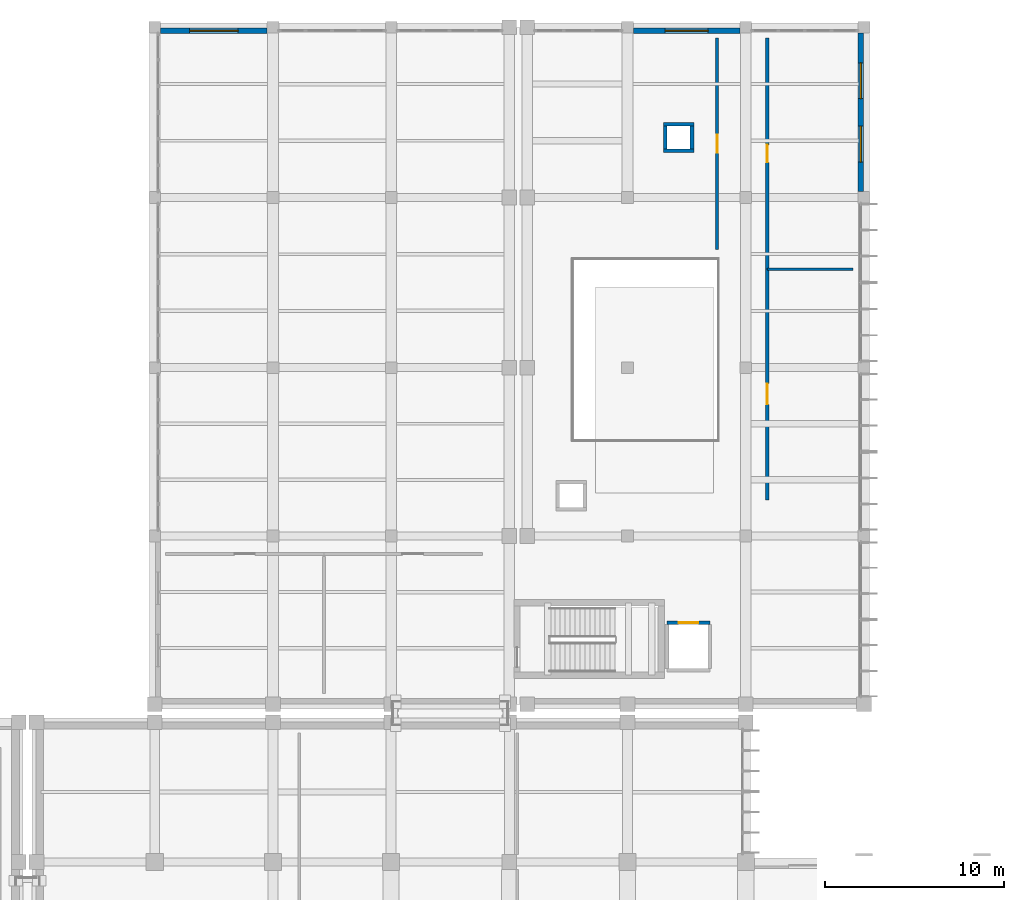
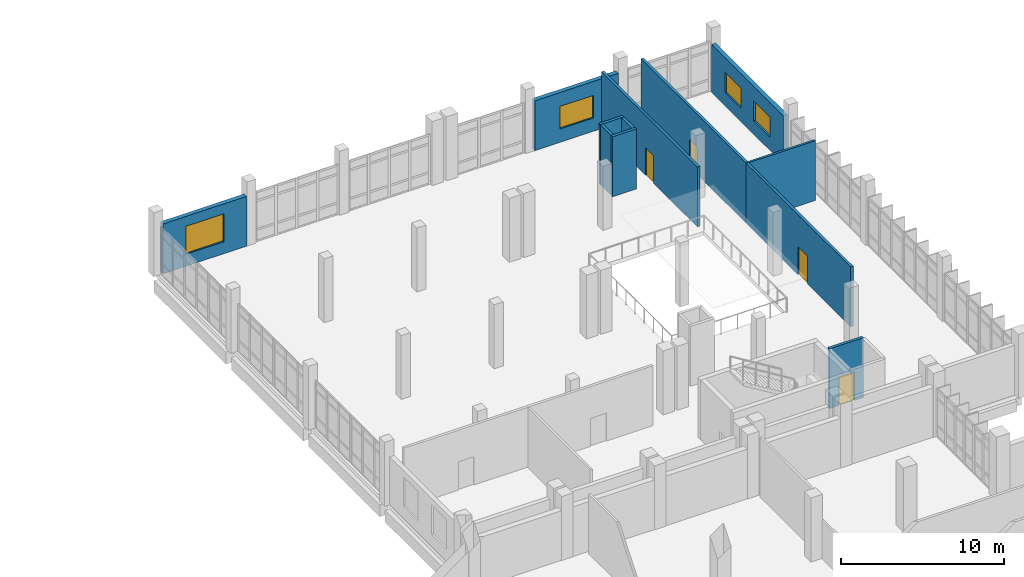
# One storey, part 71 of 90: 12 walls, 4 doors, 4 windows, 8 openings.
"""IFC4 building model written with IfcOpenShell, lengths in metres."""

from ifc_helpers import new_model, si_unit, direction, frame, frame_2d, origin, place, context, subcontext, project, spatial, rectangle, extrude, material, layer, layer_set, type_object, element, fill, save


model = new_model("IFC4")

# Units and contexts
model_context = context("Model", 3, precision=1e-05, world=origin(), true_north=direction((0.0, 1.0)))
body_context = subcontext(model_context, "Body", "Model", "MODEL_VIEW")
ifc_project = project(units=[si_unit("LENGTHUNIT", "METRE"), si_unit("AREAUNIT", "SQUARE_METRE"), si_unit("VOLUMEUNIT", "CUBIC_METRE"), si_unit("PLANEANGLEUNIT", "RADIAN"), si_unit("MASSUNIT", "GRAM", prefix="KILO")], contexts=[model_context])

# Site, building, storey
site_placement = place(None, origin())
site = spatial("IfcSite", under=ifc_project, at=site_placement, CompositionType="ELEMENT")
building_placement = place(site_placement, origin())
building = spatial("IfcBuilding", under=site, at=building_placement, Name="Kelarvand Opera House", CompositionType="ELEMENT")
storey_placement = place(building_placement, frame((0.0, 0.0, 5.39990234375)))
storey = spatial("IfcBuildingStorey", under=building, at=storey_placement, Name="L01", CompositionType="ELEMENT", Elevation=5.39990234375)

# Wall
ifc_material_1 = material(Name="Acoustic double-stud gypsum partition")
ifc_layer_1 = layer(ifc_material_1, 0.14990234375, Name="Acoustic double-stud gypsum partition")
ifc_layer_set_1 = layer_set([ifc_layer_1], Name="Acoustic double-stud gypsum partition")
wall_type_1 = type_object("IfcWallType", Name="Acoustic Room Partition Wall 150", PredefinedType="PARTITIONING", material=ifc_layer_set_1)
wall_1_placement = place(storey_placement, frame((129.800048828125, 111.5, 0.0), z_axis=(0.0, 0.0, 1.0), x_axis=(1.0, 0.0, 0.0)))
element("IfcWall", 1, at=wall_1_placement, inside=storey, type_object=wall_type_1, Name="V5 L01 Partition Wall IW-150 (413)", PredefinedType="PARTITIONING", context=body_context, shape_type="SweptSolid", body=[
    extrude(rectangle(XDim=4.800048828125, YDim=0.14990234375, at=frame_2d((2.39990234375, 0.0))), origin(), (0.0, 0.0, 1.0), 4.4921875),
])

# Wall, opening, door
ifc_material_2 = material(Name="Concrete C35/45", Category="concrete")
ifc_layer_2 = layer(ifc_material_2, 0.179931640625, Name="Concrete C35/45", Category="concrete")
ifc_layer_set_2 = layer_set([ifc_layer_2], Name="Concrete C35/45")
wall_type_2 = type_object("IfcWallType", Name="Corridor Fire-Rated Partition Wall 180 EI90", PredefinedType="PARTITIONING", material=ifc_layer_set_2)
wall_2_placement = place(storey_placement, frame((129.800048828125, 98.60009765625, 0.0), z_axis=(0.0, 0.0, 1.0), x_axis=(0.0, 1.0, 0.0)))
wall_2 = element("IfcWall", 2, at=wall_2_placement, inside=storey, type_object=wall_type_2, Name="V5 L01 Partition Wall IW-90 (412)", PredefinedType="PARTITIONING", context=body_context, shape_type="SweptSolid", body=[
    extrude(rectangle(XDim=12.89990234375, YDim=0.179931640625, at=frame_2d((6.449951171875, 0.0))), origin(), (0.0, 0.0, 1.0), 4.4921875),
])
opening_1_placement = place(wall_2_placement, frame((5.343994140625, 0.0, 0.0)))
opening_1 = element("IfcOpeningElement", 3, at=opening_1_placement, cuts=wall_2, Name="Opening D-20", PredefinedType="OPENING", context=body_context, shape_type="SweptSolid", body=[
    extrude(rectangle(XDim=1.159912109375, YDim=2.10009765625, at=frame_2d((0.580078125, 1.050048828125))), frame((0.0, 0.10009765625, 0.0), z_axis=(0.0, -1.0, 0.0), x_axis=(1.0, 0.0, 0.0)), (0.0, 0.0, 1.0), 0.199951171875),
])
ifc_material_3 = material(Name="Acoustic walnut-veneered hardwood", Category="wood")
door_type_1 = type_object("IfcDoorType", Name="Library Reading Room Door 1160x2100", OperationType="NOTDEFINED", PredefinedType="DOOR", material=ifc_material_3)
door_1_placement = place(opening_1_placement, origin())
door_1 = element("IfcDoor", 4, at=door_1_placement, inside=storey, type_object=door_type_1, Name="V5 L01 Door D-20 (183)", OperationType="SINGLE_SWING_RIGHT", OverallHeight=2.10009765625, OverallWidth=1.159912109375, PredefinedType="DOOR", context=body_context, shape_type="SweptSolid", body=[
    extrude(rectangle(XDim=1.159912109375, YDim=2.10009765625, at=frame_2d((0.580078125, 1.050048828125))), frame((0.0, 0.02490234375, 0.0), z_axis=(0.0, -1.0, 0.0), x_axis=(1.0, 0.0, 0.0)), (0.0, 0.0, 1.0), 0.050048828125),
])
fill(opening_1, door_1)

wall_3_placement = place(storey_placement, frame((129.800048828125, 111.5, 0.0), z_axis=(0.0, 0.0, 1.0), x_axis=(0.0, 1.0, 0.0)))
wall_3 = element("IfcWall", 5, at=wall_3_placement, inside=storey, type_object=wall_type_2, Name="V5 L01 Partition Wall IW-90 (414)", PredefinedType="PARTITIONING", context=body_context, shape_type="SweptSolid", body=[
    extrude(rectangle(XDim=12.89990234375, YDim=0.179931640625, at=frame_2d((6.449951171875, 0.0))), origin(), (0.0, 0.0, 1.0), 4.4921875),
])
opening_2_placement = place(wall_3_placement, frame((5.9599609375, 0.0, 0.0)))
opening_2 = element("IfcOpeningElement", 6, at=opening_2_placement, cuts=wall_3, Name="Opening D-09", PredefinedType="OPENING", context=body_context, shape_type="SweptSolid", body=[
    extrude(rectangle(XDim=0.97998046875, YDim=2.080078125, at=frame_2d((0.489990234375, 1.0400390625))), frame((0.0, 0.10009765625, 0.0), z_axis=(0.0, -1.0, 0.0), x_axis=(1.0, 0.0, 0.0)), (0.0, 0.0, 1.0), 0.199951171875),
])
door_type_2 = type_object("IfcDoorType", Name="Soloist Acoustic Timber Door 980x2080", OperationType="NOTDEFINED", PredefinedType="DOOR", material=ifc_material_3)
door_2_placement = place(opening_2_placement, origin())
door_2 = element("IfcDoor", 7, at=door_2_placement, inside=storey, type_object=door_type_2, Name="V5 L01 Door D-09 (184)", OperationType="SINGLE_SWING_LEFT", OverallHeight=2.080078125, OverallWidth=0.97998046875, PredefinedType="DOOR", context=body_context, shape_type="SweptSolid", body=[
    extrude(rectangle(XDim=0.97998046875, YDim=2.080078125, at=frame_2d((0.489990234375, 1.0400390625))), frame((0.0, 0.02490234375, 0.0), z_axis=(0.0, -1.0, 0.0), x_axis=(1.0, 0.0, 0.0)), (0.0, 0.0, 1.0), 0.050048828125),
])
fill(opening_2, door_2)

wall_4_placement = place(storey_placement, frame((127.0, 112.60009765625, 0.0), z_axis=(0.0, 0.0, 1.0), x_axis=(0.0, 1.0, 0.0)))
wall_4 = element("IfcWall", 8, at=wall_4_placement, inside=storey, type_object=wall_type_2, Name="V5 L01 Partition Wall IW-90 (415)", PredefinedType="PARTITIONING", context=body_context, shape_type="SweptSolid", body=[
    extrude(rectangle(XDim=11.7998046875, YDim=0.179931640625, at=frame_2d((5.89990234375, 0.0))), origin(), (0.0, 0.0, 1.0), 4.4921875),
])
opening_3_placement = place(wall_4_placement, frame((5.409912109375, 0.0, 0.0)))
opening_3 = element("IfcOpeningElement", 9, at=opening_3_placement, cuts=wall_4, Name="Opening D-09", PredefinedType="OPENING", context=body_context, shape_type="SweptSolid", body=[
    extrude(rectangle(XDim=0.97998046875, YDim=2.080078125, at=frame_2d((0.489990234375, 1.0400390625))), frame((0.0, 0.10009765625, 0.0), z_axis=(0.0, -1.0, 0.0), x_axis=(1.0, 0.0, 0.0)), (0.0, 0.0, 1.0), 0.199951171875),
])
door_3_placement = place(opening_3_placement, origin())
door_3 = element("IfcDoor", 10, at=door_3_placement, inside=storey, type_object=door_type_2, Name="V5 L01 Door D-09 (185)", OperationType="SINGLE_SWING_RIGHT", OverallHeight=2.080078125, OverallWidth=0.97998046875, PredefinedType="DOOR", context=body_context, shape_type="SweptSolid", body=[
    extrude(rectangle(XDim=0.97998046875, YDim=2.080078125, at=frame_2d((0.489990234375, 1.0400390625))), frame((0.0, 0.02490234375, 0.0), z_axis=(0.0, -1.0, 0.0), x_axis=(1.0, 0.0, 0.0)), (0.0, 0.0, 1.0), 0.050048828125),
])
fill(opening_3, door_3)

# Wall, openings, windows
ifc_layer_3 = layer(ifc_material_2, 0.300048828125, Name="Concrete C35/45", Category="concrete")
ifc_layer_set_3 = layer_set([ifc_layer_3], Name="Concrete C35/45")
wall_type_3 = type_object("IfcWallType", Name="Insulated Buff Brick Facade Wall 300", PredefinedType="SOLIDWALL", material=ifc_layer_set_3)
wall_5_placement = place(storey_placement, frame((135.02001953125, 124.675048828125, 0.0), z_axis=(0.0, 0.0, 1.0), x_axis=(0.0, -1.0, 0.0)))
wall_5 = element("IfcWall", 11, at=wall_5_placement, inside=storey, type_object=wall_type_3, Name="V5 L01 Exterior Wall EW-300 (608)", PredefinedType="SOLIDWALL", context=body_context, shape_type="SweptSolid", body=[
    extrude(rectangle(XDim=8.85009765625, YDim=0.300048828125, at=frame_2d((4.425048828125, 0.0))), origin(), (0.0, 0.0, 1.0), 3.592041015625),
])
opening_4_placement = place(wall_5_placement, frame((1.655029296875, 0.0, 1.0)))
opening_4 = element("IfcOpeningElement", 12, at=opening_4_placement, cuts=wall_5, Name="Opening WN-28", PredefinedType="OPENING", context=body_context, shape_type="SweptSolid", body=[
    extrude(rectangle(XDim=2.0, YDim=1.5, at=frame_2d((1.0, 0.75))), frame((0.0, 0.16015625, 0.0), z_axis=(0.0, -1.0, 0.0), x_axis=(1.0, 0.0, 0.0)), (0.0, 0.0, 1.0), 0.320068359375),
])
opening_5_placement = place(wall_5_placement, frame((5.195068359375, 0.0, 1.0)))
opening_5 = element("IfcOpeningElement", 13, at=opening_5_placement, cuts=wall_5, Name="Opening WN-28", PredefinedType="OPENING", context=body_context, shape_type="SweptSolid", body=[
    extrude(rectangle(XDim=2.0, YDim=1.5, at=frame_2d((1.0, 0.75))), frame((0.0, 0.16015625, 0.0), z_axis=(0.0, -1.0, 0.0), x_axis=(1.0, 0.0, 0.0)), (0.0, 0.0, 1.0), 0.320068359375),
])
ifc_material_4 = material(Name="Thermally broken aluminium and low-E double glazing", Category="aluminium")
window_type_1 = type_object("IfcWindowType", Name="Recessed Aluminium Thermal Window 2000x1500 WN-28", PartitioningType="SINGLE_PANEL", PredefinedType="WINDOW", material=ifc_material_4)
window_1_placement = place(opening_4_placement, origin())
window_1 = element("IfcWindow", 14, at=window_1_placement, inside=storey, type_object=window_type_1, Name="V5 L01 Facade Window WN-28 (286)", OverallHeight=1.5, OverallWidth=2.0, PartitioningType="SINGLE_PANEL", PredefinedType="WINDOW", context=body_context, shape_type="SweptSolid", body=[
    extrude(rectangle(XDim=2.0, YDim=1.5, at=frame_2d((1.0, 0.75))), frame((0.0, 0.030029296875, 0.0), z_axis=(0.0, -1.0, 0.0), x_axis=(1.0, 0.0, 0.0)), (0.0, 0.0, 1.0), 0.06005859375),
])
fill(opening_4, window_1)
window_2_placement = place(opening_5_placement, origin())
window_2 = element("IfcWindow", 15, at=window_2_placement, inside=storey, type_object=window_type_1, Name="V5 L01 Facade Window WN-28 (287)", OverallHeight=1.5, OverallWidth=2.0, PartitioningType="SINGLE_PANEL", PredefinedType="WINDOW", context=body_context, shape_type="SweptSolid", body=[
    extrude(rectangle(XDim=2.0, YDim=1.5, at=frame_2d((1.0, 0.75))), frame((0.0, 0.030029296875, 0.0), z_axis=(0.0, -1.0, 0.0), x_axis=(1.0, 0.0, 0.0)), (0.0, 0.0, 1.0), 0.06005859375),
])
fill(opening_5, window_2)

# Wall, opening, window
wall_6_placement = place(storey_placement, frame((95.925048828125, 124.820068359375, 0.0), z_axis=(0.0, 0.0, 1.0), x_axis=(1.0, 0.0, 0.0)))
wall_6 = element("IfcWall", 16, at=wall_6_placement, inside=storey, type_object=wall_type_3, Name="V5 L01 Exterior Wall EW-300 (609)", PredefinedType="SOLIDWALL", context=body_context, shape_type="SweptSolid", body=[
    extrude(rectangle(XDim=5.949951171875, YDim=0.300048828125, at=frame_2d((2.97509765625, 0.0))), origin(), (0.0, 0.0, 1.0), 3.7421875),
])
opening_6_placement = place(wall_6_placement, frame((1.625, 0.0, 0.89990234375)))
opening_6 = element("IfcOpeningElement", 17, at=opening_6_placement, cuts=wall_6, Name="Opening WN-08", PredefinedType="OPENING", context=body_context, shape_type="SweptSolid", body=[
    extrude(rectangle(XDim=2.699951171875, YDim=2.10009765625, at=frame_2d((1.35009765625, 1.050048828125))), frame((0.0, 0.16015625, 0.0), z_axis=(0.0, -1.0, 0.0), x_axis=(1.0, 0.0, 0.0)), (0.0, 0.0, 1.0), 0.320068359375),
])
window_type_2 = type_object("IfcWindowType", Name="Recessed Aluminium Thermal Window 2700x2100 WN-08", PartitioningType="SINGLE_PANEL", PredefinedType="WINDOW", material=ifc_material_4)
window_3_placement = place(opening_6_placement, origin())
window_3 = element("IfcWindow", 18, at=window_3_placement, inside=storey, type_object=window_type_2, Name="V5 L01 Facade Window WN-08 (288)", OverallHeight=2.10009765625, OverallWidth=2.699951171875, PartitioningType="SINGLE_PANEL", PredefinedType="WINDOW", context=body_context, shape_type="SweptSolid", body=[
    extrude(rectangle(XDim=2.699951171875, YDim=2.10009765625, at=frame_2d((1.35009765625, 1.050048828125))), frame((0.0, 0.030029296875, 0.0), z_axis=(0.0, -1.0, 0.0), x_axis=(1.0, 0.0, 0.0)), (0.0, 0.0, 1.0), 0.06005859375),
])
fill(opening_6, window_3)

wall_7_placement = place(storey_placement, frame((122.324951171875, 124.820068359375, 0.0), z_axis=(0.0, 0.0, 1.0), x_axis=(1.0, 0.0, 0.0)))
wall_7 = element("IfcWall", 19, at=wall_7_placement, inside=storey, type_object=wall_type_3, Name="V5 L01 Exterior Wall EW-300 (610)", PredefinedType="SOLIDWALL", context=body_context, shape_type="SweptSolid", body=[
    extrude(rectangle(XDim=5.949951171875, YDim=0.300048828125, at=frame_2d((2.97509765625, 0.0))), origin(), (0.0, 0.0, 1.0), 3.7421875),
])
opening_7_placement = place(wall_7_placement, frame((1.77490234375, 0.0, 1.0)))
opening_7 = element("IfcOpeningElement", 20, at=opening_7_placement, cuts=wall_7, Name="Opening WN-20", PredefinedType="OPENING", context=body_context, shape_type="SweptSolid", body=[
    extrude(rectangle(XDim=2.39990234375, YDim=1.699951171875, at=frame_2d((1.199951171875, 0.85009765625))), frame((0.0, 0.16015625, 0.0), z_axis=(0.0, -1.0, 0.0), x_axis=(1.0, 0.0, 0.0)), (0.0, 0.0, 1.0), 0.320068359375),
])
window_type_3 = type_object("IfcWindowType", Name="Recessed Aluminium Thermal Window 2400x1700 WN-20", PartitioningType="SINGLE_PANEL", PredefinedType="WINDOW", material=ifc_material_4)
window_4_placement = place(opening_7_placement, origin())
window_4 = element("IfcWindow", 21, at=window_4_placement, inside=storey, type_object=window_type_3, Name="V5 L01 Facade Window WN-20 (289)", OverallHeight=1.699951171875, OverallWidth=2.39990234375, PartitioningType="SINGLE_PANEL", PredefinedType="WINDOW", context=body_context, shape_type="SweptSolid", body=[
    extrude(rectangle(XDim=2.39990234375, YDim=1.699951171875, at=frame_2d((1.199951171875, 0.85009765625))), frame((0.0, 0.030029296875, 0.0), z_axis=(0.0, -1.0, 0.0), x_axis=(1.0, 0.0, 0.0)), (0.0, 0.0, 1.0), 0.06005859375),
])
fill(opening_7, window_4)

# Walls
ifc_layer_4 = layer(ifc_material_2, 0.199951171875, Name="Concrete C35/45", Category="concrete")
ifc_layer_set_4 = layer_set([ifc_layer_4], Name="Concrete C35/45")
wall_type_4 = type_object("IfcWallType", Name="Lift and Riser Shaft Enclosure Wall 200 EI120", PredefinedType="PARTITIONING", material=ifc_layer_set_4)
for number, where, z_axis, x_axis, name in (
    (22, (124.0, 118.10009765625, 0.0), (0.0, 0.0, 1.0), (1.0, 0.0, 0.0), "RSR-V5B L01 Riser Shaft Wall 77"),
    (23, (125.699951171875, 119.60009765625, 0.0), (0.0, 0.0, 1.0), (-1.0, 0.0, 0.0), "RSR-V5B L01 Riser Shaft Wall 78"),
):
    element("IfcWall", number, at=place(storey_placement, frame(where, z_axis=z_axis, x_axis=x_axis)), inside=storey, type_object=wall_type_4, Name=name, PredefinedType="PARTITIONING", context=body_context, shape_type="SweptSolid", body=[
        extrude(rectangle(XDim=1.699951171875, YDim=0.199951171875, at=frame_2d((0.85009765625, 0.0))), origin(), (0.0, 0.0, 1.0), 4.5),
    ])
for number, where, z_axis, x_axis, name in (
    (24, (124.10009765625, 118.199951171875, 0.0), (0.0, 0.0, 1.0), (0.0, 1.0, 0.0), "RSR-V5B L01 Riser Shaft Wall 79"),
    (25, (125.60009765625, 119.5, 0.0), (0.0, 0.0, 1.0), (0.0, -1.0, 0.0), "RSR-V5B L01 Riser Shaft Wall 80"),
):
    element("IfcWall", number, at=place(storey_placement, frame(where, z_axis=z_axis, x_axis=x_axis)), inside=storey, type_object=wall_type_4, Name=name, PredefinedType="PARTITIONING", context=body_context, shape_type="SweptSolid", body=[
        extrude(rectangle(XDim=1.300048828125, YDim=0.199951171875, at=frame_2d((0.64990234375, 0.0))), origin(), (0.0, 0.0, 1.0), 4.5),
    ])

# Wall, opening, door
wall_8_placement = place(storey_placement, frame((126.60009765625, 91.75, 0.0), z_axis=(0.0, 0.0, 1.0), x_axis=(-1.0, 0.0, 0.0)))
wall_8 = element("IfcWall", 26, at=wall_8_placement, inside=storey, type_object=wall_type_4, Name="V5 L01 Partition Wall SW-200 (357)", PredefinedType="PARTITIONING", context=body_context, shape_type="SweptSolid", body=[
    extrude(rectangle(XDim=2.400146484375, YDim=0.199951171875, at=frame_2d((1.2001953125, 0.0))), origin(), (0.0, 0.0, 1.0), 4.4921875),
])
opening_8_placement = place(wall_8_placement, frame((0.64990234375, 0.0, 0.0)))
opening_8 = element("IfcOpeningElement", 27, at=opening_8_placement, cuts=wall_8, Name="Opening LD-01", PredefinedType="OPENING", context=body_context, shape_type="SweptSolid", body=[
    extrude(rectangle(XDim=1.10009765625, YDim=2.14990234375, at=frame_2d((0.550048828125, 1.074951171875))), frame((0.0, 0.10986328125, 0.0), z_axis=(0.0, -1.0, 0.0), x_axis=(1.0, 0.0, 0.0)), (0.0, 0.0, 1.0), 0.219970703125),
])
ifc_material_5 = material(Name="Fire-rated brushed stainless steel", Category="steel")
door_type_3 = type_object("IfcDoorType", Name="Passenger Lift Sliding Landing Door 1100x2150", OperationType="SLIDING_TO_LEFT", PredefinedType="DOOR", material=ifc_material_5)
door_4_placement = place(opening_8_placement, origin())
door_4 = element("IfcDoor", 28, at=door_4_placement, inside=storey, type_object=door_type_3, Name="V5 L01 Door LD-01 (154)", OperationType="SLIDING_TO_LEFT", OverallHeight=2.14990234375, OverallWidth=1.10009765625, PredefinedType="DOOR", context=body_context, shape_type="SweptSolid", body=[
    extrude(rectangle(XDim=1.10009765625, YDim=2.14990234375, at=frame_2d((0.550048828125, 1.074951171875))), frame((0.0, 0.02490234375, 0.0), z_axis=(0.0, -1.0, 0.0), x_axis=(1.0, 0.0, 0.0)), (0.0, 0.0, 1.0), 0.050048828125),
])
fill(opening_8, door_4)

save(model, "model.ifc")
